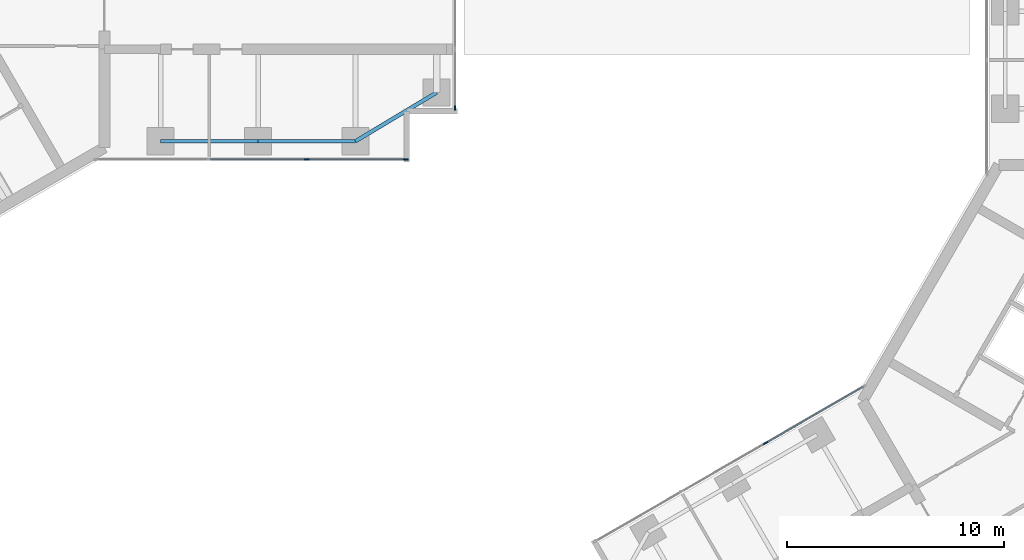
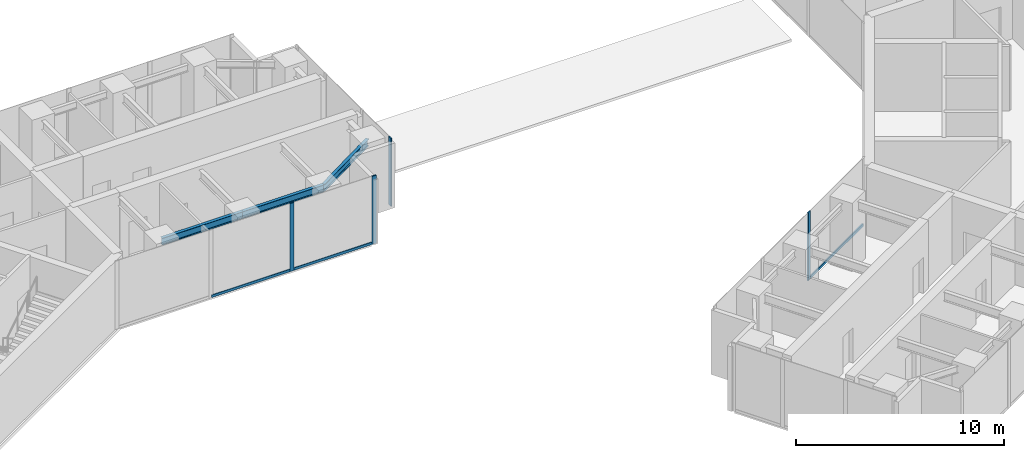
# One storey, part 4 of 18: 7 members, 3 beams, 3 elements without a shape of their own.
"""IFC4 building model written with IfcOpenShell, lengths in metres."""

from ifc_helpers import new_model, si_unit, direction, frame, origin, origin_2d, place, context, subcontext, project, spatial, rectangle, i_section, extrude, material, material_profile, profile_set, type_object, element, aggregate, save


model = new_model("IFC4")

# Units and contexts
model_context = context("Model", 3, precision=1e-05, world=origin(), true_north=direction((0.0, 1.0)))
body_context = subcontext(model_context, "Body", "Model", "MODEL_VIEW")
ifc_project = project(units=[si_unit("LENGTHUNIT", "METRE"), si_unit("AREAUNIT", "SQUARE_METRE"), si_unit("VOLUMEUNIT", "CUBIC_METRE"), si_unit("PLANEANGLEUNIT", "RADIAN"), si_unit("MASSUNIT", "GRAM", prefix="KILO")], contexts=[model_context])

# Site, building, storey
site_placement = place(None, origin())
site = spatial("IfcSite", under=ifc_project, at=site_placement, CompositionType="ELEMENT")
building_placement = place(site_placement, origin())
building = spatial("IfcBuilding", under=site, at=building_placement, Name="Upepo Twin Towers", CompositionType="ELEMENT")
storey_placement = place(building_placement, frame((0.0, 0.0, 170.5)))
storey = spatial("IfcBuildingStorey", under=building, at=storey_placement, Name="L41", CompositionType="ELEMENT", Elevation=170.5)

# Beams
ifc_material_1 = material(Name="Steel S355", Category="steel")
ifc_material_profile_1 = material_profile(ifc_material_1, i_section(OverallWidth=0.177978515625, OverallDepth=0.406494140625, WebThickness=0.0078125, FlangeThickness=0.0126953125, FilletRadius=0.01025390625, at=origin_2d()), Name="UB 406x178x60")
ifc_profile_set_1 = profile_set([ifc_material_profile_1], Name="Steel S355")
beam_type = type_object("IfcBeamType", Name="Beam UB 406x178x60", PredefinedType="BEAM", material=ifc_profile_set_1)
for number, where, z_axis, x_axis, name in (
    (1, (13.5, -6.0, 3.5966796875), (1.0, 0.0, 0.0), (0.0, 1.0, 0.0), "T1 edge beam AR 13.5-18.0"),
    (2, (18.0, -6.0, 3.5966796875), (1.0, 0.0, 0.0), (0.0, 1.0, 0.0), "T1 edge beam AR 18.0-22.5"),
):
    element("IfcBeam", number, at=place(storey_placement, frame(where, z_axis=z_axis, x_axis=x_axis)), inside=storey, type_object=beam_type, Name=name, PredefinedType="BEAM", context=body_context, shape_type="SweptSolid", body=[
        extrude(i_section(OverallWidth=0.177978515625, OverallDepth=0.406494140625, WebThickness=0.0078125, FlangeThickness=0.0126953125, FilletRadius=0.01025390625, at=origin_2d()), origin(), (0.0, 0.0, 1.0), 4.5),
    ])
beam_placement = place(storey_placement, frame((22.5, -6.0, 3.5966796875), z_axis=(0.857492925713, 0.514495755428, 0.0), x_axis=(-0.514495755428, 0.857492925713, 0.0)))
element("IfcBeam", 3, at=beam_placement, inside=storey, type_object=beam_type, Name="T1 nose edge beam AR", PredefinedType="BEAM", context=body_context, shape_type="SweptSolid", body=[
    extrude(i_section(OverallWidth=0.177978515625, OverallDepth=0.406494140625, WebThickness=0.0078125, FlangeThickness=0.0126953125, FilletRadius=0.01025390625, at=origin_2d()), origin(), (0.0, 0.0, 1.0), 4.373291015625),
])

# Curtain wall, members
ifc_material_2 = material(Name="Aluminium and fritted glass", Category="aluminium")
curtain_wall_type = type_object("IfcCurtainWallType", Name="Tower curtain wall TW3, fritted glass", PredefinedType="NOTDEFINED", material=ifc_material_2)
curtain_wall_1_placement = place(storey_placement, origin())
curtain_wall_1 = element("IfcCurtainWall", 4, at=curtain_wall_1_placement, inside=storey, type_object=curtain_wall_type, Name="T1 L41 wing A flank R curtain wall", PredefinedType="NOTDEFINED")
ifc_material_3 = material(Name="Aluminium mullion", Category="aluminium")
ifc_material_profile_2 = material_profile(ifc_material_3, rectangle(XDim=0.06494140625, YDim=0.22509765625, at=origin_2d()), Name="MULLION 65x225")
ifc_profile_set_2 = profile_set([ifc_material_profile_2], Name="Aluminium mullion")
member_type_1 = type_object("IfcMemberType", Name="Mullion 65x225 TW3", PredefinedType="MULLION", material=ifc_profile_set_2)
member_1_placement = place(storey_placement, frame((24.8173828125, -6.85009765625, 0.0), z_axis=(0.0, 0.0, 1.0), x_axis=(0.0, -1.0, 0.0)))
member_1 = element("IfcMember", 5, at=member_1_placement, type_object=member_type_1, Name="T1 L41 wing A flank R curtain wall mullion 1", PredefinedType="MULLION", context=body_context, shape_type="SweptSolid", body=[
    extrude(rectangle(XDim=0.06494140625, YDim=0.22509765625, at=origin_2d()), origin(), (0.0, 0.0, 1.0), 4.0),
])
member_2_placement = place(storey_placement, frame((20.25, -6.85009765625, 0.0), z_axis=(0.0, 0.0, 1.0), x_axis=(0.0, -1.0, 0.0)))
member_2 = element("IfcMember", 6, at=member_2_placement, type_object=member_type_1, Name="T1 L41 wing A flank R curtain wall mullion 2", PredefinedType="MULLION", context=body_context, shape_type="SweptSolid", body=[
    extrude(rectangle(XDim=0.06494140625, YDim=0.22509765625, at=origin_2d()), origin(), (0.0, 0.0, 1.0), 4.0),
])

# Curtain wall, member
curtain_wall_2_placement = place(storey_placement, origin())
curtain_wall_2 = element("IfcCurtainWall", 7, at=curtain_wall_2_placement, inside=storey, type_object=curtain_wall_type, Name="T1 L41 wing A nose curtain wall", PredefinedType="NOTDEFINED")
member_3_placement = place(storey_placement, frame((27.10009765625, -4.467529296875, 0.0), z_axis=(0.0, 0.0, 1.0), x_axis=(-1.0, 0.0, 0.0)))
member_3 = element("IfcMember", 8, at=member_3_placement, type_object=member_type_1, Name="T1 L41 wing A nose curtain wall mullion 1", PredefinedType="MULLION", context=body_context, shape_type="SweptSolid", body=[
    extrude(rectangle(XDim=0.06494140625, YDim=0.22509765625, at=origin_2d()), origin(), (0.0, 0.0, 1.0), 4.0),
])
aggregate(curtain_wall_2, [member_3])

curtain_wall_3_placement = place(storey_placement, origin())
curtain_wall_3 = element("IfcCurtainWall", 9, at=curtain_wall_3_placement, inside=storey, type_object=curtain_wall_type, Name="T2 L41 wing B flank R curtain wall", PredefinedType="NOTDEFINED")
member_4_placement = place(storey_placement, frame((41.43505859375, -19.942626953125, 0.0), z_axis=(0.0, 0.0, 1.0), x_axis=(-0.500000026527, 0.866025388469, 0.0)))
member_4 = element("IfcMember", 10, at=member_4_placement, type_object=member_type_1, Name="T2 L41 wing B flank R curtain wall mullion 3", PredefinedType="MULLION", context=body_context, shape_type="SweptSolid", body=[
    extrude(rectangle(XDim=0.06494140625, YDim=0.22509765625, at=origin_2d()), origin(), (0.0, 0.0, 1.0), 4.0),
])

# Member
ifc_material_4 = material(Name="Aluminium transom", Category="aluminium")
ifc_material_profile_3 = material_profile(ifc_material_4, rectangle(XDim=0.06494140625, YDim=0.14990234375, at=origin_2d()), Name="TRANSOM 65x150")
ifc_profile_set_3 = profile_set([ifc_material_profile_3], Name="Aluminium transom")
member_type_2 = type_object("IfcMemberType", Name="Transom 65x150 TW3", PredefinedType="USERDEFINED", material=ifc_profile_set_3)
member_5_placement = place(storey_placement, frame((24.784912109375, -6.85009765625, 0.074951171875), z_axis=(-1.0, 0.0, 0.0), x_axis=(0.0, -1.0, 0.0)))
member_5 = element("IfcMember", 11, at=member_5_placement, type_object=member_type_2, Name="T1 L41 wing A flank R curtain wall transom 1", ObjectType="TRANSOM", PredefinedType="USERDEFINED", context=body_context, shape_type="SweptSolid", body=[
    extrude(rectangle(XDim=0.06494140625, YDim=0.14990234375, at=origin_2d()), origin(), (0.0, 0.0, 1.0), 4.50244140625),
])

member_6_placement = place(storey_placement, frame((20.217529296875, -6.85009765625, 0.074951171875), z_axis=(-1.0, 0.0, 0.0), x_axis=(0.0, -1.0, 0.0)))
member_6 = element("IfcMember", 12, at=member_6_placement, type_object=member_type_2, Name="T1 L41 wing A flank R curtain wall transom 2", ObjectType="TRANSOM", PredefinedType="USERDEFINED", context=body_context, shape_type="SweptSolid", body=[
    extrude(rectangle(XDim=0.06494140625, YDim=0.14990234375, at=origin_2d()), origin(), (0.0, 0.0, 1.0), 4.43505859375),
])

aggregate(curtain_wall_1, [member_1, member_2, member_5, member_6])

member_7_placement = place(storey_placement, frame((41.463134765625, -19.926513671875, 0.074951171875), z_axis=(0.86602108507, 0.500007480159, 0.0), x_axis=(-0.500007480159, 0.86602108507, 0.0)))
member_7 = element("IfcMember", 13, at=member_7_placement, type_object=member_type_2, Name="T2 L41 wing B flank R curtain wall transom 3", ObjectType="TRANSOM", PredefinedType="USERDEFINED", context=body_context, shape_type="SweptSolid", body=[
    extrude(rectangle(XDim=0.06494140625, YDim=0.14990234375, at=origin_2d()), origin(), (0.0, 0.0, 1.0), 5.16552734375),
])

aggregate(curtain_wall_3, [member_4, member_7])

save(model, "model.ifc")
